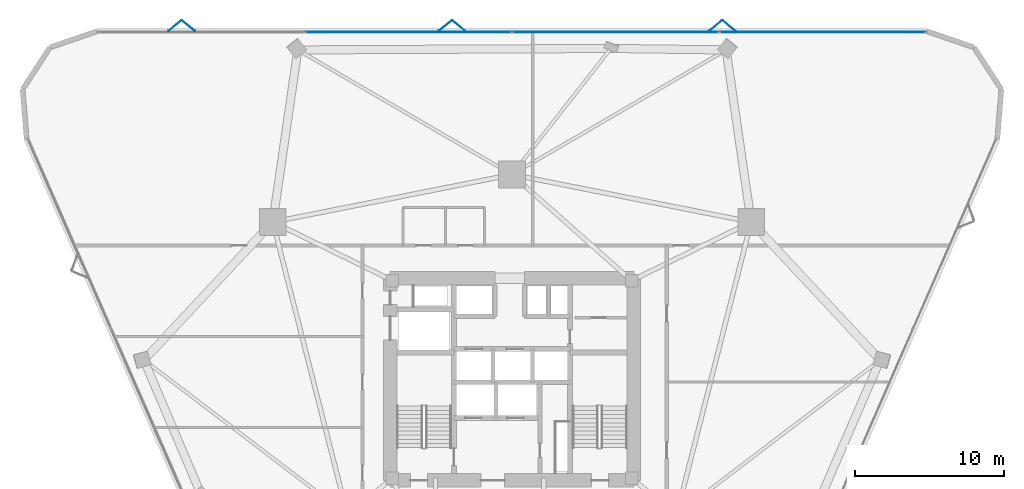
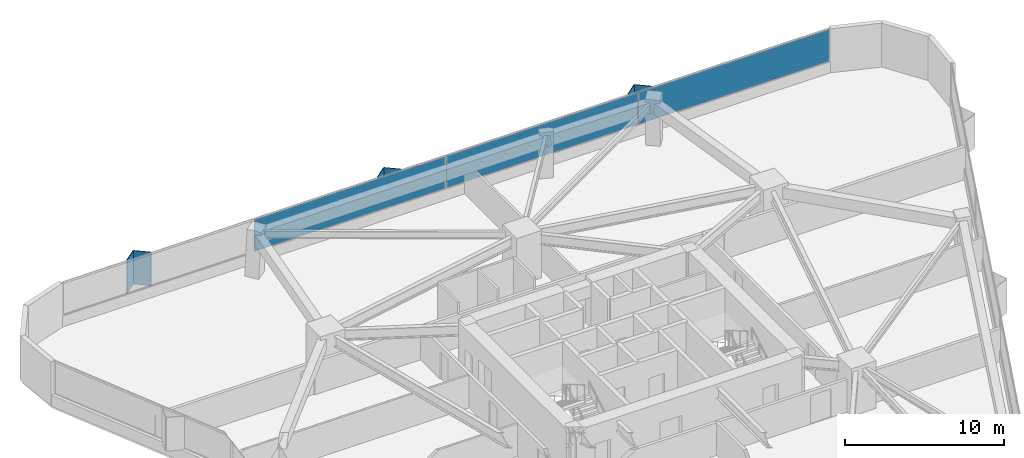
# One storey, part 16 of 20: 9 plates, 1 element without a shape of its own.
"""IFC4 building model written with IfcOpenShell, lengths in metres."""

from ifc_helpers import new_model, si_unit, direction, frame, origin, origin_2d, place, context, subcontext, project, spatial, rectangle, extrude, material, layer, layer_set, type_object, element, aggregate, save


model = new_model("IFC4")

# Units and contexts
model_context = context("Model", 3, precision=1e-05, world=origin(), true_north=direction((0.0, 1.0)))
body_context = subcontext(model_context, "Body", "Model", "MODEL_VIEW")
ifc_project = project(units=[si_unit("LENGTHUNIT", "METRE"), si_unit("AREAUNIT", "SQUARE_METRE"), si_unit("VOLUMEUNIT", "CUBIC_METRE"), si_unit("PLANEANGLEUNIT", "RADIAN"), si_unit("MASSUNIT", "GRAM", prefix="KILO")], contexts=[model_context])

# Site, building, storey
site_placement = place(None, origin())
site = spatial("IfcSite", under=ifc_project, at=site_placement, CompositionType="ELEMENT")
building_placement = place(site_placement, origin())
building = spatial("IfcBuilding", under=site, at=building_placement, Name="Talyreon Biosciences Tower", CompositionType="ELEMENT")
storey_placement = place(building_placement, frame((0.0, 0.0, 59.300048828125)))
storey = spatial("IfcBuildingStorey", under=building, at=storey_placement, Name="L15", CompositionType="ELEMENT", Elevation=59.300048828125)

# Curtain wall, plates
ifc_material_1 = material(Name="Thermally broken aluminium and low-E glazing", Category="aluminium")
ifc_layer_1 = layer(ifc_material_1, 0.195068359375)
ifc_layer_set_1 = layer_set([ifc_layer_1], Name="Thermally broken aluminium and low-E glazing")
curtain_wall_type = type_object("IfcCurtainWallType", Name="CurtainWall_Zone1WetLab", PredefinedType="NOTDEFINED", material=ifc_layer_set_1)
curtain_wall_placement = place(storey_placement, origin())
curtain_wall = element("IfcCurtainWall", 1, at=curtain_wall_placement, inside=storey, type_object=curtain_wall_type, Name="L15 Unitised Curtain Wall FCW-L15-04", PredefinedType="NOTDEFINED")
ifc_material_2 = material(Name="Triple-silver low-E insulated glazing", Category="glass")
ifc_layer_2 = layer(ifc_material_2, 0.031982421875)
ifc_layer_set_2 = layer_set([ifc_layer_2], Name="Triple-silver low-E insulated glazing")
plate_type_1 = type_object("IfcPlateType", Name="CWGlazingPanel_32", PredefinedType="CURTAIN_PANEL", material=ifc_layer_set_2)
plate_1_placement = place(storey_placement, frame((59.021240234375, 91.373779296875, 0.875), z_axis=(0.0, 0.0, 1.0), x_axis=(1.0, 0.0, 0.0)))
plate_1 = element("IfcPlate", 2, at=plate_1_placement, type_object=plate_type_1, Name="CW2 panel 2.1", PredefinedType="CURTAIN_PANEL", context=body_context, shape_type="SweptSolid", body=[
    extrude(rectangle(XDim=13.892578125, YDim=0.031982421875, at=origin_2d()), origin(), (0.0, 0.0, 1.0), 2.43505859375),
])
plate_2_placement = place(storey_placement, frame((72.978759765625, 91.373779296875, 0.875), z_axis=(0.0, 0.0, 1.0), x_axis=(1.0, 0.0, 0.0)))
plate_2 = element("IfcPlate", 3, at=plate_2_placement, type_object=plate_type_1, Name="CW2 panel 3.1", PredefinedType="CURTAIN_PANEL", context=body_context, shape_type="SweptSolid", body=[
    extrude(rectangle(XDim=13.892578125, YDim=0.031982421875, at=origin_2d()), origin(), (0.0, 0.0, 1.0), 2.43505859375),
])
plate_3_placement = place(storey_placement, frame((86.92041015625, 91.373779296875, 0.875), z_axis=(0.0, 0.0, 1.0), x_axis=(1.0, 0.0, 0.0)))
plate_3 = element("IfcPlate", 4, at=plate_3_placement, type_object=plate_type_1, Name="CW2 panel 4.1", PredefinedType="CURTAIN_PANEL", context=body_context, shape_type="SweptSolid", body=[
    extrude(rectangle(XDim=13.860107421875, YDim=0.031982421875, at=origin_2d()), origin(), (0.0, 0.0, 1.0), 2.43505859375),
])
aggregate(curtain_wall, [plate_1, plate_2, plate_3])

# Plates
ifc_material_3 = material(Name="Ivory GFRC sunshade panel", Category="concrete")
ifc_layer_3 = layer(ifc_material_3, 0.044921875)
ifc_layer_set_3 = layer_set([ifc_layer_3], Name="Ivory GFRC sunshade panel")
plate_type_2 = type_object("IfcPlateType", Name="FoldedVSunshade_NorthFace_SUNSHADE", PredefinedType="USERDEFINED", material=ifc_layer_set_3)
for number, where, z_axis, x_axis, name in (
    (5, (43.3046875, 91.81396484375, 0.7900390625), (0.0, 0.0, 1.0), (0.771624583388, 0.636078220278, 0.0), "L15 Folded V-Sunshade Panel 04.01L"),
    (6, (44.20458984375, 91.81396484375, 0.7900390625), (0.0, 0.0, 1.0), (0.771624583388, -0.636078220278, 0.0), "L15 Folded V-Sunshade Panel 04.01R"),
    (7, (61.504638671875, 91.81396484375, 0.7900390625), (0.0, 0.0, 1.0), (0.771624583388, 0.636078220278, 0.0), "L15 Folded V-Sunshade Panel 04.02L"),
    (8, (62.404541015625, 91.81396484375, 0.7900390625), (0.0, 0.0, 1.0), (0.771624583388, -0.636078220278, 0.0), "L15 Folded V-Sunshade Panel 04.02R"),
    (9, (79.70458984375, 91.81396484375, 0.7900390625), (0.0, 0.0, 1.0), (0.771624583388, 0.636078220278, 0.0), "L15 Folded V-Sunshade Panel 04.03L"),
    (10, (80.6044921875, 91.81396484375, 0.7900390625), (0.0, 0.0, 1.0), (0.771624583388, -0.636078220278, 0.0), "L15 Folded V-Sunshade Panel 04.03R"),
):
    element("IfcPlate", number, at=place(storey_placement, frame(where, z_axis=z_axis, x_axis=x_axis)), inside=storey, type_object=plate_type_2, Name=name, ObjectType="SUNSHADE", PredefinedType="USERDEFINED", context=body_context, shape_type="SweptSolid", body=[
        extrude(rectangle(XDim=1.14990234375, YDim=0.044921875, at=origin_2d()), origin(), (0.0, 0.0, 1.0), 2.5849609375),
    ])

save(model, "model.ifc")
